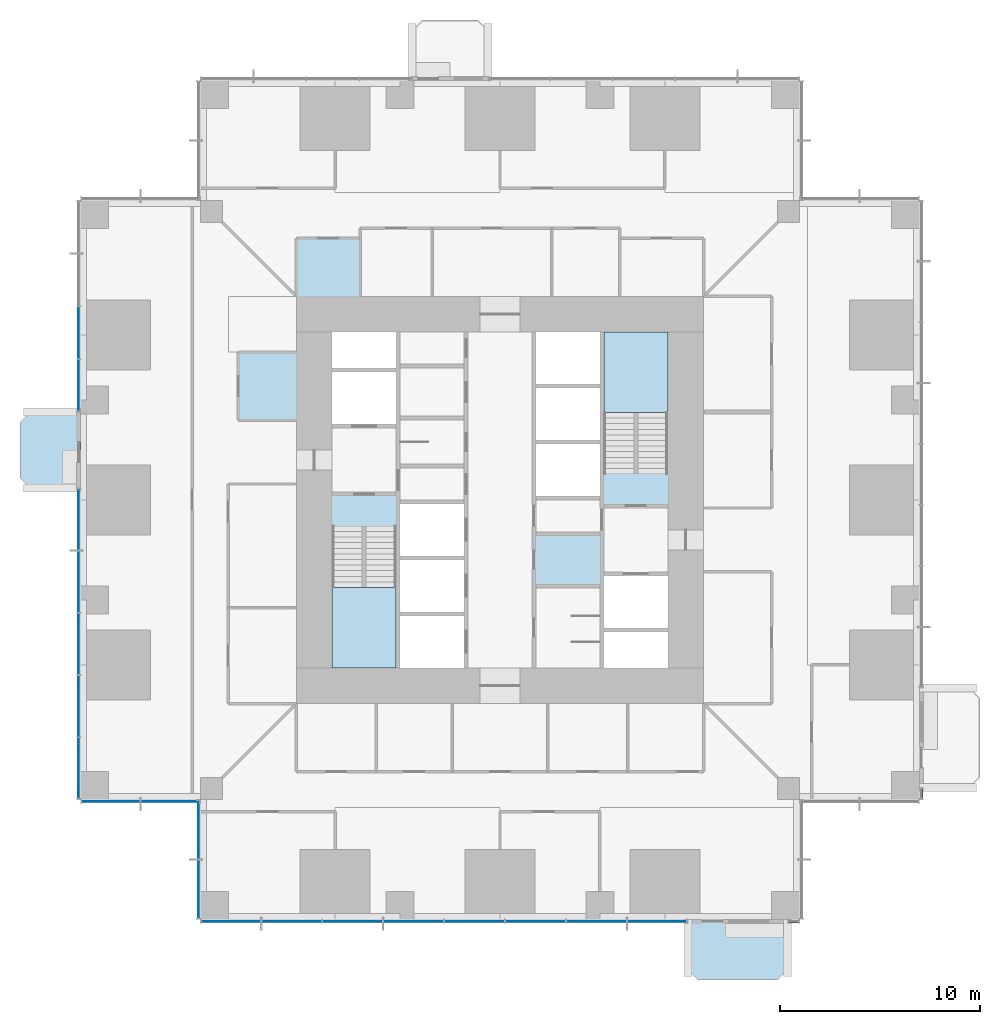
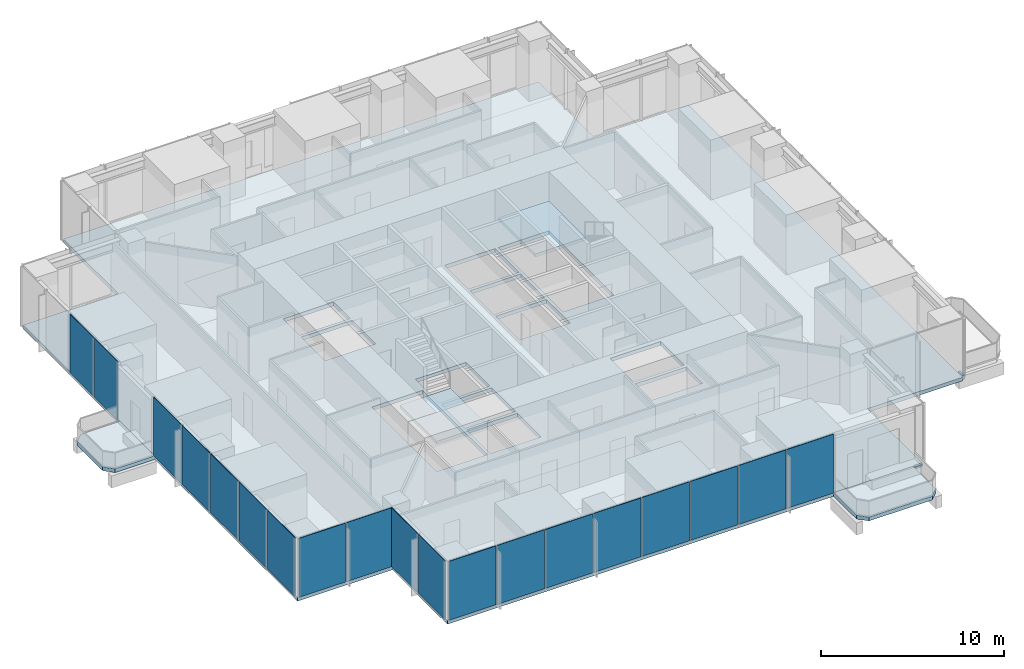
# One storey, part 7 of 15: 19 plates, 5 slabs, 2 members, 9 elements without a shape of their own.
"""IFC4 building model written with IfcOpenShell, lengths in metres."""

from ifc_helpers import new_model, si_unit, direction, frame, origin, origin_2d, place, context, subcontext, project, spatial, polyline, rectangle, outline, extrude, material, layer, layer_set, material_profile, profile_set, type_object, element, aggregate, save


model = new_model("IFC4")

# Units and contexts
model_context = context("Model", 3, precision=1e-05, world=origin(), true_north=direction((0.0, 1.0)))
body_context = subcontext(model_context, "Body", "Model", "MODEL_VIEW")
ifc_project = project(units=[si_unit("LENGTHUNIT", "METRE"), si_unit("AREAUNIT", "SQUARE_METRE"), si_unit("VOLUMEUNIT", "CUBIC_METRE"), si_unit("PLANEANGLEUNIT", "RADIAN"), si_unit("MASSUNIT", "GRAM", prefix="KILO")], contexts=[model_context])

# Site, building, storey
site_placement = place(None, origin())
site = spatial("IfcSite", under=ifc_project, at=site_placement, CompositionType="ELEMENT")
building_placement = place(site_placement, origin())
building = spatial("IfcBuilding", under=site, at=building_placement, Name="Svetlomir Tower", CompositionType="ELEMENT")
storey_placement = place(building_placement, frame((0.0, 0.0, 42.5)))
storey = spatial("IfcBuildingStorey", under=building, at=storey_placement, Name="L09", CompositionType="ELEMENT", Elevation=42.5)

# Curtain wall, member
ifc_material_1 = material(Name="Bronze anodised aluminium curtain wall", Category="aluminium")
curtain_wall_type = type_object("IfcCurtainWallType", Name="CURTAIN WALL CW1 TOWER OFFICE", PredefinedType="NOTDEFINED", material=ifc_material_1)
curtain_wall_1_placement = place(storey_placement, origin())
curtain_wall_1 = element("IfcCurtainWall", 1, at=curtain_wall_1_placement, inside=storey, type_object=curtain_wall_type, Name="Curtain wall CW1 L09", PredefinedType="NOTDEFINED")
ifc_material_2 = material(Name="Bronze anodised aluminium", Category="aluminium")
ifc_material_profile = material_profile(ifc_material_2, rectangle(XDim=0.139892578125, YDim=0.06494140625, at=origin_2d()), Name="AL 140x65")
ifc_profile_set = profile_set([ifc_material_profile], Name="Bronze anodised aluminium 6063-T6")
member_type = type_object("IfcMemberType", Name="CW1 TRANSOM 65x140", PredefinedType="USERDEFINED", material=ifc_profile_set)
member_1_placement = place(storey_placement, frame((35.465087890625, -0.10009765625, 0.032470703125), z_axis=(1.0, 0.0, 0.0), x_axis=(0.0, 1.0, 0.0)))
member_1 = element("IfcMember", 2, at=member_1_placement, type_object=member_type, Name="CW1 transom 1.1", ObjectType="TRANSOM", PredefinedType="USERDEFINED", context=body_context, shape_type="SweptSolid", body=[
    extrude(rectangle(XDim=0.139892578125, YDim=0.06494140625, at=origin_2d()), origin(), (0.0, 0.0, 1.0), 0.469970703125),
])
aggregate(curtain_wall_1, [member_1])

curtain_wall_2_placement = place(storey_placement, origin())
curtain_wall_2 = element("IfcCurtainWall", 3, at=curtain_wall_2_placement, inside=storey, type_object=curtain_wall_type, Name="Curtain wall CW1 L09", PredefinedType="NOTDEFINED")
member_2_placement = place(storey_placement, frame((42.10009765625, 6.06494140625, 0.032470703125), z_axis=(0.0, 1.0, 0.0), x_axis=(-1.0, 0.0, 0.0)))
member_2 = element("IfcMember", 4, at=member_2_placement, type_object=member_type, Name="CW1 transom 1.1", ObjectType="TRANSOM", PredefinedType="USERDEFINED", context=body_context, shape_type="SweptSolid", body=[
    extrude(rectangle(XDim=0.139892578125, YDim=0.06494140625, at=origin_2d()), origin(), (0.0, 0.0, 1.0), 0.469970703125),
])
aggregate(curtain_wall_2, [member_2])

# Slabs
ifc_material_3 = material(Name="Concrete C60/75", Category="concrete")
ifc_layer_1 = layer(ifc_material_3, 0.25)
ifc_layer_set_1 = layer_set([ifc_layer_1], Name="Concrete C60/75")
slab_type_1 = type_object("IfcSlabType", Name="BALCONY SLAB 250", PredefinedType="FLOOR", material=ifc_layer_set_1)
slab_1_placement = place(storey_placement, frame((0.0, 0.0, -0.25)))
element("IfcSlab", 5, at=slab_1_placement, inside=storey, type_object=slab_type_1, Name="L09 S planted balcony", PredefinedType="FLOOR", context=body_context, shape_type="SweptSolid", body=[
    extrude(outline(polyline([(30.39990234375, -2.5), (30.89990234375, -3.0), (34.89990234375, -3.0), (35.39990234375, -2.5), (35.39990234375, 0.0), (30.39990234375, 0.0), (30.39990234375, -2.5)])), origin(), (0.0, 0.0, 1.0), 0.25),
])
slab_2_placement = place(storey_placement, frame((0.0, 0.0, -0.25)))
element("IfcSlab", 6, at=slab_2_placement, inside=storey, type_object=slab_type_1, Name="L09 W planted balcony", PredefinedType="FLOOR", context=body_context, shape_type="SweptSolid", body=[
    extrude(outline(polyline([(-2.5, 21.60009765625), (0.0, 21.60009765625), (0.0, 25.39990234375), (-2.5, 25.39990234375), (-3.0, 24.89990234375), (-3.0, 22.10009765625), (-2.5, 21.60009765625)])), origin(), (0.0, 0.0, 1.0), 0.25),
])

# Curtain wall, plates
curtain_wall_3_placement = place(storey_placement, origin())
curtain_wall_3 = element("IfcCurtainWall", 7, at=curtain_wall_3_placement, inside=storey, type_object=curtain_wall_type, Name="Curtain wall CW1 L09", PredefinedType="NOTDEFINED")
ifc_material_4 = material(Name="Tinted double glazed unit", Category="glass")
ifc_layer_2 = layer(ifc_material_4, 0.031982421875)
ifc_layer_set_2 = layer_set([ifc_layer_2], Name="Tinted double glazed unit")
plate_type = type_object("IfcPlateType", Name="CW1 GLAZED PANEL 32", PredefinedType="CURTAIN_PANEL", material=ifc_layer_set_2)
plate_1_placement = place(storey_placement, frame((7.541259765625, -0.10009765625, 0.06494140625), z_axis=(0.0, 0.0, 1.0), x_axis=(1.0, 0.0, 0.0)))
plate_1 = element("IfcPlate", 8, at=plate_1_placement, type_object=plate_type, Name="CW1 panel 1.1", PredefinedType="CURTAIN_PANEL", context=body_context, shape_type="SweptSolid", body=[
    extrude(rectangle(XDim=2.952392578125, YDim=0.031982421875, at=origin_2d()), origin(), (0.0, 0.0, 1.0), 3.93505859375),
])
plate_2_placement = place(storey_placement, frame((10.574951171875, -0.10009765625, 0.06494140625), z_axis=(0.0, 0.0, 1.0), x_axis=(1.0, 0.0, 0.0)))
plate_2 = element("IfcPlate", 9, at=plate_2_placement, type_object=plate_type, Name="CW1 panel 2.1", PredefinedType="CURTAIN_PANEL", context=body_context, shape_type="SweptSolid", body=[
    extrude(rectangle(XDim=2.985107421875, YDim=0.031982421875, at=origin_2d()), origin(), (0.0, 0.0, 1.0), 3.93505859375),
])
plate_3_placement = place(storey_placement, frame((13.625, -0.10009765625, 0.06494140625), z_axis=(0.0, 0.0, 1.0), x_axis=(1.0, 0.0, 0.0)))
plate_3 = element("IfcPlate", 10, at=plate_3_placement, type_object=plate_type, Name="CW1 panel 3.1", PredefinedType="CURTAIN_PANEL", context=body_context, shape_type="SweptSolid", body=[
    extrude(rectangle(XDim=2.985107421875, YDim=0.031982421875, at=origin_2d()), origin(), (0.0, 0.0, 1.0), 3.93505859375),
])
plate_4_placement = place(storey_placement, frame((16.675048828125, -0.10009765625, 0.06494140625), z_axis=(0.0, 0.0, 1.0), x_axis=(1.0, 0.0, 0.0)))
plate_4 = element("IfcPlate", 11, at=plate_4_placement, type_object=plate_type, Name="CW1 panel 4.1", PredefinedType="CURTAIN_PANEL", context=body_context, shape_type="SweptSolid", body=[
    extrude(rectangle(XDim=2.985107421875, YDim=0.031982421875, at=origin_2d()), origin(), (0.0, 0.0, 1.0), 3.93505859375),
])
plate_5_placement = place(storey_placement, frame((19.72509765625, -0.10009765625, 0.06494140625), z_axis=(0.0, 0.0, 1.0), x_axis=(1.0, 0.0, 0.0)))
plate_5 = element("IfcPlate", 12, at=plate_5_placement, type_object=plate_type, Name="CW1 panel 5.1", PredefinedType="CURTAIN_PANEL", context=body_context, shape_type="SweptSolid", body=[
    extrude(rectangle(XDim=2.985107421875, YDim=0.031982421875, at=origin_2d()), origin(), (0.0, 0.0, 1.0), 3.93505859375),
])
plate_6_placement = place(storey_placement, frame((22.77490234375, -0.10009765625, 0.06494140625), z_axis=(0.0, 0.0, 1.0), x_axis=(1.0, 0.0, 0.0)))
plate_6 = element("IfcPlate", 13, at=plate_6_placement, type_object=plate_type, Name="CW1 panel 6.1", PredefinedType="CURTAIN_PANEL", context=body_context, shape_type="SweptSolid", body=[
    extrude(rectangle(XDim=2.985107421875, YDim=0.031982421875, at=origin_2d()), origin(), (0.0, 0.0, 1.0), 3.93505859375),
])
plate_7_placement = place(storey_placement, frame((25.824951171875, -0.10009765625, 0.06494140625), z_axis=(0.0, 0.0, 1.0), x_axis=(1.0, 0.0, 0.0)))
plate_7 = element("IfcPlate", 14, at=plate_7_placement, type_object=plate_type, Name="CW1 panel 7.1", PredefinedType="CURTAIN_PANEL", context=body_context, shape_type="SweptSolid", body=[
    extrude(rectangle(XDim=2.985107421875, YDim=0.031982421875, at=origin_2d()), origin(), (0.0, 0.0, 1.0), 3.93505859375),
])
plate_8_placement = place(storey_placement, frame((28.858642578125, -0.10009765625, 0.06494140625), z_axis=(0.0, 0.0, 1.0), x_axis=(1.0, 0.0, 0.0)))
plate_8 = element("IfcPlate", 15, at=plate_8_placement, type_object=plate_type, Name="CW1 panel 8.1", PredefinedType="CURTAIN_PANEL", context=body_context, shape_type="SweptSolid", body=[
    extrude(rectangle(XDim=2.952392578125, YDim=0.031982421875, at=origin_2d()), origin(), (0.0, 0.0, 1.0), 3.93505859375),
])
aggregate(curtain_wall_3, [plate_1, plate_2, plate_3, plate_4, plate_5, plate_6, plate_7, plate_8])

curtain_wall_4_placement = place(storey_placement, origin())
curtain_wall_4 = element("IfcCurtainWall", 16, at=curtain_wall_4_placement, inside=storey, type_object=curtain_wall_type, Name="Curtain wall CW1 L09", PredefinedType="NOTDEFINED")
plate_9_placement = place(storey_placement, frame((-0.10009765625, 29.375, 0.06494140625), z_axis=(0.0, 0.0, 1.0), x_axis=(0.0, -1.0, 0.0)))
plate_9 = element("IfcPlate", 17, at=plate_9_placement, type_object=plate_type, Name="CW1 panel 3.1", PredefinedType="CURTAIN_PANEL", context=body_context, shape_type="SweptSolid", body=[
    extrude(rectangle(XDim=2.5849609375, YDim=0.031982421875, at=origin_2d()), origin(), (0.0, 0.0, 1.0), 3.93505859375),
])
plate_10_placement = place(storey_placement, frame((-0.10009765625, 26.7412109375, 0.06494140625), z_axis=(0.0, 0.0, 1.0), x_axis=(0.0, -1.0, 0.0)))
plate_10 = element("IfcPlate", 18, at=plate_10_placement, type_object=plate_type, Name="CW1 panel 4.1", PredefinedType="CURTAIN_PANEL", context=body_context, shape_type="SweptSolid", body=[
    extrude(rectangle(XDim=2.552490234375, YDim=0.031982421875, at=origin_2d()), origin(), (0.0, 0.0, 1.0), 3.93505859375),
])
aggregate(curtain_wall_4, [plate_9, plate_10])

curtain_wall_5_placement = place(storey_placement, origin())
curtain_wall_5 = element("IfcCurtainWall", 19, at=curtain_wall_5_placement, inside=storey, type_object=curtain_wall_type, Name="Curtain wall CW1 L09", PredefinedType="NOTDEFINED")
plate_11_placement = place(storey_placement, frame((-0.10009765625, 20.023681640625, 0.06494140625), z_axis=(0.0, 0.0, 1.0), x_axis=(0.0, -1.0, 0.0)))
plate_11 = element("IfcPlate", 20, at=plate_11_placement, type_object=plate_type, Name="CW1 panel 1.1", PredefinedType="CURTAIN_PANEL", context=body_context, shape_type="SweptSolid", body=[
    extrude(rectangle(XDim=3.0224609375, YDim=0.031982421875, at=origin_2d()), origin(), (0.0, 0.0, 1.0), 3.93505859375),
])
plate_12_placement = place(storey_placement, frame((-0.10009765625, 16.919921875, 0.06494140625), z_axis=(0.0, 0.0, 1.0), x_axis=(0.0, -1.0, 0.0)))
plate_12 = element("IfcPlate", 21, at=plate_12_placement, type_object=plate_type, Name="CW1 panel 2.1", PredefinedType="CURTAIN_PANEL", context=body_context, shape_type="SweptSolid", body=[
    extrude(rectangle(XDim=3.054931640625, YDim=0.031982421875, at=origin_2d()), origin(), (0.0, 0.0, 1.0), 3.93505859375),
])
plate_13_placement = place(storey_placement, frame((-0.10009765625, 13.800048828125, 0.06494140625), z_axis=(0.0, 0.0, 1.0), x_axis=(0.0, -1.0, 0.0)))
plate_13 = element("IfcPlate", 22, at=plate_13_placement, type_object=plate_type, Name="CW1 panel 3.1", PredefinedType="CURTAIN_PANEL", context=body_context, shape_type="SweptSolid", body=[
    extrude(rectangle(XDim=3.054931640625, YDim=0.031982421875, at=origin_2d()), origin(), (0.0, 0.0, 1.0), 3.93505859375),
])
plate_14_placement = place(storey_placement, frame((-0.10009765625, 10.679931640625, 0.06494140625), z_axis=(0.0, 0.0, 1.0), x_axis=(0.0, -1.0, 0.0)))
plate_14 = element("IfcPlate", 23, at=plate_14_placement, type_object=plate_type, Name="CW1 panel 4.1", PredefinedType="CURTAIN_PANEL", context=body_context, shape_type="SweptSolid", body=[
    extrude(rectangle(XDim=3.054931640625, YDim=0.031982421875, at=origin_2d()), origin(), (0.0, 0.0, 1.0), 3.93505859375),
])
plate_15_placement = place(storey_placement, frame((-0.10009765625, 7.576171875, 0.06494140625), z_axis=(0.0, 0.0, 1.0), x_axis=(0.0, -1.0, 0.0)))
plate_15 = element("IfcPlate", 24, at=plate_15_placement, type_object=plate_type, Name="CW1 panel 5.1", PredefinedType="CURTAIN_PANEL", context=body_context, shape_type="SweptSolid", body=[
    extrude(rectangle(XDim=3.0224609375, YDim=0.031982421875, at=origin_2d()), origin(), (0.0, 0.0, 1.0), 3.93505859375),
])
aggregate(curtain_wall_5, [plate_11, plate_12, plate_13, plate_14, plate_15])

curtain_wall_6_placement = place(storey_placement, origin())
curtain_wall_6 = element("IfcCurtainWall", 25, at=curtain_wall_6_placement, inside=storey, type_object=curtain_wall_type, Name="Curtain wall CW1 L09", PredefinedType="NOTDEFINED")
plate_16_placement = place(storey_placement, frame((1.516357421875, 5.89990234375, 0.06494140625), z_axis=(0.0, 0.0, 1.0), x_axis=(1.0, 0.0, 0.0)))
plate_16 = element("IfcPlate", 26, at=plate_16_placement, type_object=plate_type, Name="CW1 panel 1.1", PredefinedType="CURTAIN_PANEL", context=body_context, shape_type="SweptSolid", body=[
    extrude(rectangle(XDim=2.902587890625, YDim=0.031982421875, at=origin_2d()), origin(), (0.0, 0.0, 1.0), 3.93505859375),
])
plate_17_placement = place(storey_placement, frame((4.483642578125, 5.89990234375, 0.06494140625), z_axis=(0.0, 0.0, 1.0), x_axis=(1.0, 0.0, 0.0)))
plate_17 = element("IfcPlate", 27, at=plate_17_placement, type_object=plate_type, Name="CW1 panel 2.1", PredefinedType="CURTAIN_PANEL", context=body_context, shape_type="SweptSolid", body=[
    extrude(rectangle(XDim=2.902587890625, YDim=0.031982421875, at=origin_2d()), origin(), (0.0, 0.0, 1.0), 3.93505859375),
])
aggregate(curtain_wall_6, [plate_16, plate_17])

curtain_wall_7_placement = place(storey_placement, origin())
curtain_wall_7 = element("IfcCurtainWall", 28, at=curtain_wall_7_placement, inside=storey, type_object=curtain_wall_type, Name="Curtain wall CW1 L09", PredefinedType="NOTDEFINED")
plate_18_placement = place(storey_placement, frame((5.89990234375, 4.483642578125, 0.06494140625), z_axis=(0.0, 0.0, 1.0), x_axis=(0.0, -1.0, 0.0)))
plate_18 = element("IfcPlate", 29, at=plate_18_placement, type_object=plate_type, Name="CW1 panel 1.1", PredefinedType="CURTAIN_PANEL", context=body_context, shape_type="SweptSolid", body=[
    extrude(rectangle(XDim=2.902587890625, YDim=0.031982421875, at=origin_2d()), origin(), (0.0, 0.0, 1.0), 3.93505859375),
])
plate_19_placement = place(storey_placement, frame((5.89990234375, 1.516357421875, 0.06494140625), z_axis=(0.0, 0.0, 1.0), x_axis=(0.0, -1.0, 0.0)))
plate_19 = element("IfcPlate", 30, at=plate_19_placement, type_object=plate_type, Name="CW1 panel 2.1", PredefinedType="CURTAIN_PANEL", context=body_context, shape_type="SweptSolid", body=[
    extrude(rectangle(XDim=2.902587890625, YDim=0.031982421875, at=origin_2d()), origin(), (0.0, 0.0, 1.0), 3.93505859375),
])
aggregate(curtain_wall_7, [plate_18, plate_19])

# Slab
ifc_material_5 = material(Name="Concrete C60/75", Category="concrete")
ifc_layer_3 = layer(ifc_material_5, 0.25)
ifc_layer_set_3 = layer_set([ifc_layer_3], Name="Concrete C60/75")
slab_type_2 = type_object("IfcSlabType", Name="FLOOR SLAB 250", PredefinedType="FLOOR", material=ifc_layer_set_3)
slab_3_placement = place(storey_placement, frame((0.0, 0.0, -0.25)))
element("IfcSlab", 31, at=slab_3_placement, inside=storey, type_object=slab_type_2, Name="L09 floor slab", PredefinedType="FLOOR", context=body_context, shape_type="SweptSolid", body=[
    extrude(outline(polyline([(6.0, 0.0), (36.0, 0.0), (36.0, 6.0), (42.0, 6.0), (42.0, 36.0), (36.0, 36.0), (36.0, 42.0), (6.0, 42.0), (6.0, 36.0), (0.0, 36.0), (0.0, 6.0), (6.0, 6.0), (6.0, 0.0)]), holes=[polyline([(12.60009765625, 24.800048828125), (15.800048828125, 24.800048828125), (15.800048828125, 27.39990234375), (12.60009765625, 27.39990234375), (12.60009765625, 24.800048828125)]), polyline([(26.199951171875, 14.60009765625), (29.39990234375, 14.60009765625), (29.39990234375, 17.199951171875), (26.199951171875, 17.199951171875), (26.199951171875, 14.60009765625)]), polyline([(16.0, 12.60009765625), (19.199951171875, 12.60009765625), (19.199951171875, 15.199951171875), (16.0, 15.199951171875), (16.0, 12.60009765625)]), polyline([(16.0, 15.39990234375), (19.199951171875, 15.39990234375), (19.199951171875, 18.0), (16.0, 18.0), (16.0, 15.39990234375)]), polyline([(16.0, 18.199951171875), (19.199951171875, 18.199951171875), (19.199951171875, 20.800048828125), (16.0, 20.800048828125), (16.0, 18.199951171875)]), polyline([(22.800048828125, 21.199951171875), (26.0, 21.199951171875), (26.0, 23.800048828125), (22.800048828125, 23.800048828125), (22.800048828125, 21.199951171875)]), polyline([(22.800048828125, 24.0), (26.0, 24.0), (26.0, 26.60009765625), (22.800048828125, 26.60009765625), (22.800048828125, 24.0)]), polyline([(22.800048828125, 26.800048828125), (26.0, 26.800048828125), (26.0, 29.39990234375), (22.800048828125, 29.39990234375), (22.800048828125, 26.800048828125)]), polyline([(12.60009765625, 27.60009765625), (15.800048828125, 27.60009765625), (15.800048828125, 29.39990234375), (12.60009765625, 29.39990234375), (12.60009765625, 27.60009765625)]), polyline([(26.199951171875, 12.60009765625), (29.39990234375, 12.60009765625), (29.39990234375, 14.39990234375), (26.199951171875, 14.39990234375), (26.199951171875, 12.60009765625)]), polyline([(12.60009765625, 12.60009765625), (15.800048828125, 12.60009765625), (15.800048828125, 19.679931640625), (12.60009765625, 19.679931640625), (12.60009765625, 12.60009765625)]), polyline([(26.199951171875, 22.320068359375), (29.39990234375, 22.320068359375), (29.39990234375, 29.39990234375), (26.199951171875, 29.39990234375), (26.199951171875, 22.320068359375)])]), origin(), (0.0, 0.0, 1.0), 0.25),
])

# Stair, slab
ifc_material_6 = material(Name="Concrete C60/75", Category="concrete")
stair_type = type_object("IfcStairType", Name="EXIT STAIR 3200 RISE 4000", PredefinedType="HALF_TURN_STAIR", material=ifc_material_6)
stair_1_placement = place(storey_placement, origin())
stair_1 = element("IfcStair", 32, at=stair_1_placement, inside=storey, type_object=stair_type, Name="Stair S1 L09 to L10", PredefinedType="HALF_TURN_STAIR")
ifc_material_7 = material(Name="Concrete C60/75", Category="concrete")
ifc_layer_4 = layer(ifc_material_7, 0.199951171875)
ifc_layer_set_4 = layer_set([ifc_layer_4], Name="Concrete C60/75")
slab_type_3 = type_object("IfcSlabType", Name="STAIR LANDING 200", PredefinedType="LANDING", material=ifc_layer_set_4)
slab_4_placement = place(storey_placement, frame((0.0, 0.0, 1.800048828125)))
slab_4 = element("IfcSlab", 33, at=slab_4_placement, type_object=slab_type_3, Name="S1 landing 1", PredefinedType="LANDING", context=body_context, shape_type="SweptSolid", body=[
    extrude(outline(polyline([(12.60009765625, 12.60009765625), (15.800048828125, 12.60009765625), (15.800048828125, 16.6201171875), (12.60009765625, 16.6201171875), (12.60009765625, 12.60009765625)])), origin(), (0.0, 0.0, 1.0), 0.199951171875),
])
aggregate(stair_1, [slab_4])

stair_2_placement = place(storey_placement, origin())
stair_2 = element("IfcStair", 34, at=stair_2_placement, inside=storey, type_object=stair_type, Name="Stair S2 L09 to L10", PredefinedType="HALF_TURN_STAIR")
slab_5_placement = place(storey_placement, frame((0.0, 0.0, 1.800048828125)))
slab_5 = element("IfcSlab", 35, at=slab_5_placement, type_object=slab_type_3, Name="S2 landing 1", PredefinedType="LANDING", context=body_context, shape_type="SweptSolid", body=[
    extrude(outline(polyline([(26.199951171875, 25.3798828125), (29.39990234375, 25.3798828125), (29.39990234375, 29.39990234375), (26.199951171875, 29.39990234375), (26.199951171875, 25.3798828125)])), origin(), (0.0, 0.0, 1.0), 0.199951171875),
])
aggregate(stair_2, [slab_5])

save(model, "model.ifc")
